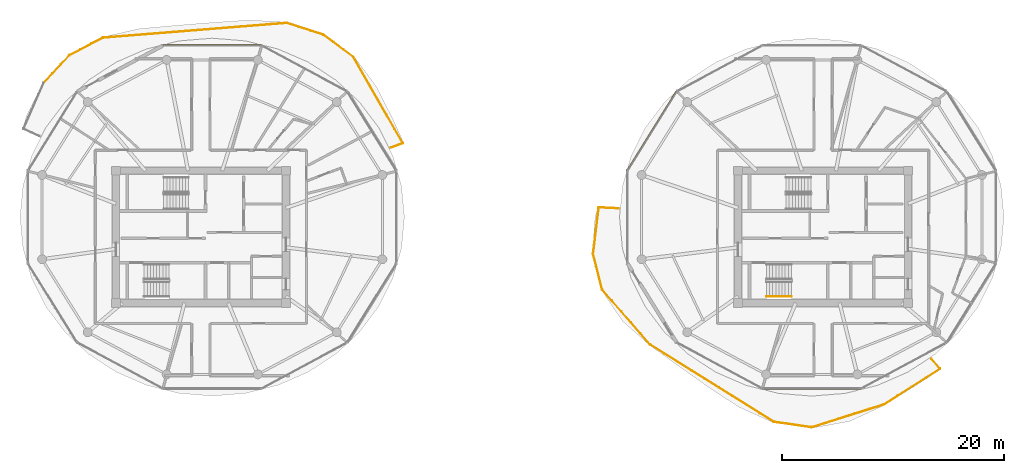
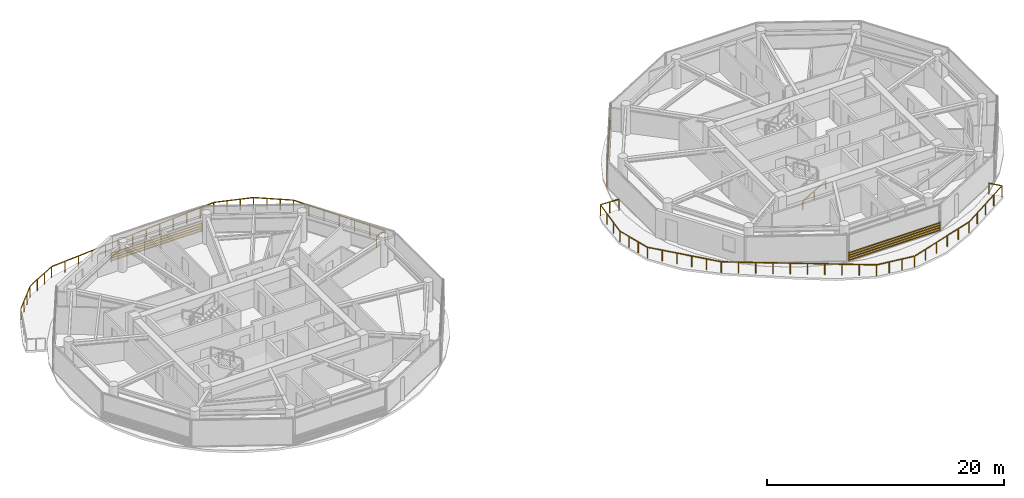
# One storey, part 20 of 21: 4 railings, 3 shading devices.
"""IFC4 building model written with IfcOpenShell, lengths in metres."""

import ifcopenshell
import ifcopenshell.guid

model = None  # the IFC model being written
_history = None  # IfcOwnerHistory: only IFC2X3 demands one
_inside = {}  # id of a spatial element -> (the spatial element, [elements in it])
_under = {}  # id of a project, library or spatial element -> (it, [spatial elements below it])
_declared = {}  # id of a project -> (the project, [libraries it declares])
_typed = {}  # id of a type object -> (the type object, [elements of that type])
_made_of = {}  # id of a material, layer set ... -> (it, [elements and type objects made of it])


def new_model(schema):
    """Start an empty IFC model of exactly this schema.

    Asked for "IFC4X3", IfcOpenShell would pick the latest addendum, in which some entities
    have other attributes; the version numbers below select the first issue.
    IFC2X3 requires an IfcOwnerHistory on every rooted entity: one is made here for all.
    """
    global model, _history
    if schema == "IFC4X3":
        model = ifcopenshell.file(schema_version=(4, 3, 0, 0))
    else:
        model = ifcopenshell.file(schema=schema)
    _inside.clear()
    _under.clear()
    _declared.clear()
    _typed.clear()
    _made_of.clear()
    _history = None
    if model.schema == "IFC2X3":
        org = make("IfcOrganization", Name="unknown")
        user = make(
            "IfcPersonAndOrganization",
            ThePerson=make("IfcPerson", FamilyName="unknown"),
            TheOrganization=org,
        )
        app = make(
            "IfcApplication",
            ApplicationDeveloper=org,
            Version="unknown",
            ApplicationFullName="unknown",
            ApplicationIdentifier="unknown",
        )
        _history = make(
            "IfcOwnerHistory",
            OwningUser=user,
            OwningApplication=app,
            ChangeAction="ADDED",
            CreationDate=0,
        )
    return model


def make(cls, **values):
    """One entity of the class cls with the attributes given. An attribute that is None is left unset."""
    return model.create_entity(
        cls, **{name: value for name, value in values.items() if value is not None}
    )


def rooted(cls, **values):
    """An entity with a GlobalId (a new one), such as an element, a storey or a relation."""
    return make(cls, GlobalId=ifcopenshell.guid.new(), OwnerHistory=_history, **values)


def si_unit(unit_type, name, prefix=None):
    """IfcSIUnit, for example si_unit("LENGTHUNIT", "METRE", prefix="MILLI")."""
    return make("IfcSIUnit", UnitType=unit_type, Prefix=prefix, Name=name)


def assignment(units):
    """IfcUnitAssignment: the units of a project."""
    return None if units is None else make("IfcUnitAssignment", Units=units)


def point(xyz):
    """IfcCartesianPoint."""
    return None if xyz is None else make("IfcCartesianPoint", Coordinates=xyz)


def direction(xyz):
    """IfcDirection."""
    return None if xyz is None else make("IfcDirection", DirectionRatios=xyz)


def frame(location, z_axis=None, x_axis=None):
    """IfcAxis2Placement3D, a coordinate frame: its origin and axes. An axis left out is left unset."""
    return make(
        "IfcAxis2Placement3D",
        Location=point(location),
        Axis=direction(z_axis),
        RefDirection=direction(x_axis),
    )


def frame_2d(location, x_axis=None):
    """IfcAxis2Placement2D, a coordinate frame in the plane: its origin and x axis."""
    return make(
        "IfcAxis2Placement2D", Location=point(location), RefDirection=direction(x_axis)
    )


def origin():
    """The frame at (0, 0, 0) with its axes left unset."""
    return frame((0.0, 0.0, 0.0))


def origin_2d():
    """The frame at (0, 0) in the plane with its x axis left unset."""
    return frame_2d((0.0, 0.0))


def place(relative_to, where):
    """IfcLocalPlacement: puts the frame where relative to a parent placement (None: the world)."""
    return make(
        "IfcLocalPlacement", PlacementRelTo=relative_to, RelativePlacement=where
    )


def context(
    kind, dimensions, precision=None, world=None, true_north=None, identifier=None
):
    """IfcGeometricRepresentationContext, for example the 3D "Model" context."""
    return make(
        "IfcGeometricRepresentationContext",
        ContextIdentifier=identifier,
        ContextType=kind,
        CoordinateSpaceDimension=dimensions,
        Precision=precision,
        WorldCoordinateSystem=world,
        TrueNorth=true_north,
    )


def subcontext(parent, identifier, kind, view, scale=None):
    """IfcGeometricRepresentationSubContext, for example "Body" below "Model"."""
    return make(
        "IfcGeometricRepresentationSubContext",
        ContextIdentifier=identifier,
        ContextType=kind,
        ParentContext=parent,
        TargetScale=scale,
        TargetView=view,
    )


def project(units=None, contexts=None):
    """IfcProject with its units and contexts."""
    return rooted(
        "IfcProject",
        Name="project",
        RepresentationContexts=contexts,
        UnitsInContext=assignment(units),
    )


def spatial(cls, under=None, at=None, **own):
    """A site, building, storey or space (cls), placed at a placement, below another one or the project."""
    s = rooted(cls, ObjectPlacement=at, **own)
    if under is not None:
        _under.setdefault(under.id(), (under, []))[1].append(s)
    return s


def profile(cls, at=None, kind="AREA", **sizes):
    """A parametric profile (cls). Its sizes go by their IFC names, for example OverallWidth=200.0."""
    return make(cls, ProfileType=kind, Position=at, **sizes)


def rectangle(**sizes):
    """IfcRectangleProfileDef."""
    return profile("IfcRectangleProfileDef", **sizes)


def extrude(swept, where, along, depth):
    """IfcExtrudedAreaSolid: the profile swept, set in the frame where, extruded along a direction by depth."""
    return make(
        "IfcExtrudedAreaSolid",
        SweptArea=swept,
        Position=where,
        ExtrudedDirection=direction(along),
        Depth=depth,
    )


def shape(context_of_items, identifier, shape_type, items):
    """IfcShapeRepresentation: the items that make up one representation, for example the "Body"."""
    return make(
        "IfcShapeRepresentation",
        ContextOfItems=context_of_items,
        RepresentationIdentifier=identifier,
        RepresentationType=shape_type,
        Items=items,
    )


def source(mapping_origin, context_of_items, identifier, shape_type, items):
    """IfcRepresentationMap: a shape defined once, which mapped items show again and again."""
    return make(
        "IfcRepresentationMap",
        MappingOrigin=mapping_origin,
        MappedRepresentation=shape(context_of_items, identifier, shape_type, items),
    )


def transform(
    local_origin,
    x_axis=None,
    y_axis=None,
    z_axis=None,
    scale=None,
    scale2=None,
    scale3=None,
    uniform=True,
):
    """IfcCartesianTransformationOperator3D, or its non-uniform kind. x_axis, y_axis, z_axis: its Axis1, 2, 3."""
    if uniform:
        return make(
            "IfcCartesianTransformationOperator3D",
            Axis1=direction(x_axis),
            Axis2=direction(y_axis),
            LocalOrigin=point(local_origin),
            Scale=scale,
            Axis3=direction(z_axis),
        )
    return make(
        "IfcCartesianTransformationOperator3DnonUniform",
        Axis1=direction(x_axis),
        Axis2=direction(y_axis),
        LocalOrigin=point(local_origin),
        Scale=scale,
        Axis3=direction(z_axis),
        Scale2=scale2,
        Scale3=scale3,
    )


def mapped(mapping_source, mapping_target):
    """IfcMappedItem: shows the shape of a source again, moved by a transform."""
    return make(
        "IfcMappedItem", MappingSource=mapping_source, MappingTarget=mapping_target
    )


def material(Name=None, Category=None):
    """IfcMaterial."""
    return make("IfcMaterial", Name=Name, Category=Category)


def made_of(thing, what):
    """Note that an element or type object is made of a material, layer set ...; save() writes the relation."""
    if what is not None:
        _made_of.setdefault(what.id(), (what, []))[1].append(thing)
    return thing


def type_object(cls, material=None, **own):
    """A type object (cls), such as IfcWallType, which elements share."""
    return made_of(rooted(cls, **own), material)


def type_shapes(of_type, sources):
    """Give a type object the sources (RepresentationMaps) that its elements show as mapped items."""
    of_type.RepresentationMaps = sources


def element(
    cls,
    number,
    at=None,
    inside=None,
    cuts=None,
    type_object=None,
    material=None,
    context=None,
    identifier="Body",
    shape_type=None,
    held_by="IfcProductDefinitionShape",
    body=None,
    shapes=None,
    **own,
):
    """One element of the class cls, such as IfcWall. Its Tag is "e" and its number.

    at: its placement. inside: the storey or other place that contains it. cuts: it is an
    opening in that element (IfcRelVoidsElement). A single representation is given by context,
    identifier, shape_type and body (its items); several are given by shapes. held_by: the class
    of the entity that holds the representations. save() writes the other relations.
    """
    e = rooted(cls, Tag="e%d" % number, ObjectPlacement=at, **own)
    if body is not None:
        shapes = [shape(context, identifier, shape_type, body)]
    if shapes is not None:
        e.Representation = make(held_by, Representations=shapes)
    if inside is not None:
        _inside.setdefault(inside.id(), (inside, []))[1].append(e)
    if cuts is not None:
        rooted(
            "IfcRelVoidsElement", RelatingBuildingElement=cuts, RelatedOpeningElement=e
        )
    if type_object is not None:
        _typed.setdefault(type_object.id(), (type_object, []))[1].append(e)
    return made_of(e, material)


def aggregate(whole, parts):
    """IfcRelAggregates: a whole, such as a stair, and the parts it consists of."""
    return rooted("IfcRelAggregates", RelatingObject=whole, RelatedObjects=parts)


def save(model, path):
    """Write the relations noted so far, then the file.

    IfcRelAggregates (storeys below a building ...), IfcRelContainedInSpatialStructure (elements
    in a storey), IfcRelDefinesByType, IfcRelAssociatesMaterial and IfcRelDeclares: one each for
    every whole, place, type object, material and project.
    """
    for whole, parts in _under.values():
        aggregate(whole, parts)
    for where, things in _inside.values():
        rooted(
            "IfcRelContainedInSpatialStructure",
            RelatedElements=things,
            RelatingStructure=where,
        )
    for kind, things in _typed.values():
        rooted("IfcRelDefinesByType", RelatedObjects=things, RelatingType=kind)
    for what, things in _made_of.values():
        rooted("IfcRelAssociatesMaterial", RelatedObjects=things, RelatingMaterial=what)
    for by, libraries in _declared.values():
        rooted("IfcRelDeclares", RelatingContext=by, RelatedDefinitions=libraries)
    model.write(path)


model = new_model("IFC4")

# Units and contexts
model_context = context("Model", 3, precision=1e-05, world=origin(), true_north=direction((0.0, 1.0)))
body_context = subcontext(model_context, "Body", "Model", "MODEL_VIEW")
ifc_project = project(units=[si_unit("LENGTHUNIT", "METRE"), si_unit("AREAUNIT", "SQUARE_METRE"), si_unit("VOLUMEUNIT", "CUBIC_METRE"), si_unit("PLANEANGLEUNIT", "RADIAN"), si_unit("MASSUNIT", "GRAM", prefix="KILO")], contexts=[model_context])

# Site, building, storey
site_placement = place(None, origin())
site = spatial("IfcSite", under=ifc_project, at=site_placement, CompositionType="ELEMENT")
building_placement = place(site_placement, origin())
building = spatial("IfcBuilding", under=site, at=building_placement, Name="Norrkilde Senior Care Towers", CompositionType="ELEMENT")
storey_placement = place(building_placement, frame((0.0, 0.0, 149.550048828125)))
storey = spatial("IfcBuildingStorey", under=building, at=storey_placement, Name="L46", CompositionType="ELEMENT", Elevation=149.550048828125)

# Railings
ifc_material_1 = material(Name="Anodised Aluminium", Category="aluminium")
railing_type_1 = type_object("IfcRailingType", Name="Balcony Swirl Ribbon Guardrail 1150", PredefinedType="GUARDRAIL", material=ifc_material_1)
railing_1_placement = place(storey_placement, frame((33.467041015625, -15.093505859375, 0.0)))
element("IfcRailing", 1, at=railing_1_placement, inside=storey, type_object=railing_type_1, Name="L46 Perimeter Safety Guard 01", PredefinedType="GUARDRAIL", context=body_context, shape_type="SweptSolid", body=[
    extrude(rectangle(XDim=0.048095703125, YDim=0.048095703125, at=origin_2d()), frame((0.0, 0.0, 1.1259765625), z_axis=(-0.953778656086, -0.300510025116, 0.0), x_axis=(0.300510025116, -0.953778656086, 0.0)), (0.0, 0.0, 1.0), 6.76708984375),
    extrude(rectangle(XDim=0.048095703125, YDim=0.048095703125, at=origin_2d()), frame((-6.533935546875, -2.0400390625, 1.1259765625), z_axis=(-0.989870069277, 0.141976216143, 0.0), x_axis=(-0.141976216143, -0.989870069277, 0.0)), (0.0, 0.0, 1.0), 3.36767578125),
    extrude(rectangle(XDim=0.048095703125, YDim=0.048095703125, at=origin_2d()), frame((-9.942626953125, -1.534423828125, 1.1259765625), z_axis=(-0.848074707503, 0.529876674796, 0.0), x_axis=(-0.529876674796, -0.848074707503, 0.0)), (0.0, 0.0, 1.0), 13.021484375),
    extrude(rectangle(XDim=0.048095703125, YDim=0.048095703125, at=origin_2d()), frame((-21.04736328125, 5.417724609375, 1.1259765625), z_axis=(-0.65714114238, 0.753767549707, 0.0), x_axis=(-0.753767549707, -0.65714114238, 0.0)), (0.0, 0.0, 1.0), 6.502685546875),
    extrude(rectangle(XDim=0.048095703125, YDim=0.048095703125, at=origin_2d()), frame((-25.357421875, 10.3896484375, 1.1259765625), z_axis=(-0.247173053783, 0.968971352251, 0.0), x_axis=(-0.968971352251, -0.247173053783, 0.0)), (0.0, 0.0, 1.0), 3.236083984375),
    extrude(rectangle(XDim=0.048095703125, YDim=0.048095703125, at=origin_2d()), frame((-26.16259765625, 13.60546875, 1.1259765625), z_axis=(0.121156173495, 0.99263345784, 0.0), x_axis=(-0.99263345784, 0.121156173495, 0.0)), (0.0, 0.0, 1.0), 4.125732421875),
    extrude(rectangle(XDim=0.048095703125, YDim=0.048095703125, at=origin_2d()), frame((-25.616943359375, 17.739501953125, 1.1259765625), z_axis=(0.998767504981, -0.049633365739, 0.0), x_axis=(0.049633365739, 0.998767504981, 0.0)), (0.0, 0.0, 1.0), 1.719970703125),
    extrude(rectangle(XDim=0.0419921875, YDim=0.0419921875, at=origin_2d()), origin(), (0.0, 0.0, 1.0), 1.099853515625),
    extrude(rectangle(XDim=0.0419921875, YDim=0.0419921875, at=origin_2d()), frame((-1.298583984375, -0.4091796875, 0.0)), (0.0, 0.0, 1.0), 1.099853515625),
    extrude(rectangle(XDim=0.0419921875, YDim=0.0419921875, at=origin_2d()), frame((-2.597412109375, -0.818359375, 0.0)), (0.0, 0.0, 1.0), 1.099853515625),
    extrude(rectangle(XDim=0.0419921875, YDim=0.0419921875, at=origin_2d()), frame((-3.89599609375, -1.2275390625, 0.0)), (0.0, 0.0, 1.0), 1.099853515625),
    extrude(rectangle(XDim=0.0419921875, YDim=0.0419921875, at=origin_2d()), frame((-5.19482421875, -1.63671875, 0.0)), (0.0, 0.0, 1.0), 1.099853515625),
    extrude(rectangle(XDim=0.0419921875, YDim=0.0419921875, at=origin_2d()), frame((-6.493408203125, -2.0458984375, 0.0)), (0.0, 0.0, 1.0), 1.099853515625),
    extrude(rectangle(XDim=0.0419921875, YDim=0.0419921875, at=origin_2d()), frame((-7.631591796875, -1.882568359375, 0.0)), (0.0, 0.0, 1.0), 1.099853515625),
    extrude(rectangle(XDim=0.0419921875, YDim=0.0419921875, at=origin_2d()), frame((-8.769775390625, -1.719482421875, 0.0)), (0.0, 0.0, 1.0), 1.099853515625),
    extrude(rectangle(XDim=0.0419921875, YDim=0.0419921875, at=origin_2d()), frame((-9.907958984375, -1.55615234375, 0.0)), (0.0, 0.0, 1.0), 1.099853515625),
    extrude(rectangle(XDim=0.0419921875, YDim=0.0419921875, at=origin_2d()), frame((-11.142578125, -0.78466796875, 0.0)), (0.0, 0.0, 1.0), 1.099853515625),
    extrude(rectangle(XDim=0.0419921875, YDim=0.0419921875, at=origin_2d()), frame((-12.37744140625, -0.01318359375, 0.0)), (0.0, 0.0, 1.0), 1.099853515625),
    extrude(rectangle(XDim=0.0419921875, YDim=0.0419921875, at=origin_2d()), frame((-13.612060546875, 0.75830078125, 0.0)), (0.0, 0.0, 1.0), 1.099853515625),
    extrude(rectangle(XDim=0.0419921875, YDim=0.0419921875, at=origin_2d()), frame((-14.846923828125, 1.52978515625, 0.0)), (0.0, 0.0, 1.0), 1.099853515625),
    extrude(rectangle(XDim=0.0419921875, YDim=0.0419921875, at=origin_2d()), frame((-16.08154296875, 2.301025390625, 0.0)), (0.0, 0.0, 1.0), 1.099853515625),
    extrude(rectangle(XDim=0.0419921875, YDim=0.0419921875, at=origin_2d()), frame((-17.31640625, 3.072509765625, 0.0)), (0.0, 0.0, 1.0), 1.099853515625),
    extrude(rectangle(XDim=0.0419921875, YDim=0.0419921875, at=origin_2d()), frame((-18.551025390625, 3.843994140625, 0.0)), (0.0, 0.0, 1.0), 1.099853515625),
    extrude(rectangle(XDim=0.0419921875, YDim=0.0419921875, at=origin_2d()), frame((-19.785888671875, 4.615478515625, 0.0)), (0.0, 0.0, 1.0), 1.099853515625),
    extrude(rectangle(XDim=0.0419921875, YDim=0.0419921875, at=origin_2d()), frame((-21.0205078125, 5.386962890625, 0.0)), (0.0, 0.0, 1.0), 1.099853515625),
    extrude(rectangle(XDim=0.0419921875, YDim=0.0419921875, at=origin_2d()), frame((-21.885986328125, 6.379638671875, 0.0)), (0.0, 0.0, 1.0), 1.099853515625),
    extrude(rectangle(XDim=0.0419921875, YDim=0.0419921875, at=origin_2d()), frame((-22.751220703125, 7.372314453125, 0.0)), (0.0, 0.0, 1.0), 1.099853515625),
    extrude(rectangle(XDim=0.0419921875, YDim=0.0419921875, at=origin_2d()), frame((-23.61669921875, 8.36474609375, 0.0)), (0.0, 0.0, 1.0), 1.099853515625),
    extrude(rectangle(XDim=0.0419921875, YDim=0.0419921875, at=origin_2d()), frame((-24.48193359375, 9.357421875, 0.0)), (0.0, 0.0, 1.0), 1.099853515625),
    extrude(rectangle(XDim=0.0419921875, YDim=0.0419921875, at=origin_2d()), frame((-25.347412109375, 10.35009765625, 0.0)), (0.0, 0.0, 1.0), 1.099853515625),
    extrude(rectangle(XDim=0.0419921875, YDim=0.0419921875, at=origin_2d()), frame((-25.620849609375, 11.421630859375, 0.0)), (0.0, 0.0, 1.0), 1.099853515625),
    extrude(rectangle(XDim=0.0419921875, YDim=0.0419921875, at=origin_2d()), frame((-25.89404296875, 12.493408203125, 0.0)), (0.0, 0.0, 1.0), 1.099853515625),
    extrude(rectangle(XDim=0.0419921875, YDim=0.0419921875, at=origin_2d()), frame((-26.16748046875, 13.56494140625, 0.0)), (0.0, 0.0, 1.0), 1.099853515625),
    extrude(rectangle(XDim=0.0419921875, YDim=0.0419921875, at=origin_2d()), frame((-25.99755859375, 14.95703125, 0.0)), (0.0, 0.0, 1.0), 1.099853515625),
    extrude(rectangle(XDim=0.0419921875, YDim=0.0419921875, at=origin_2d()), frame((-25.82763671875, 16.349365234375, 0.0)), (0.0, 0.0, 1.0), 1.099853515625),
    extrude(rectangle(XDim=0.0419921875, YDim=0.0419921875, at=origin_2d()), frame((-25.65771484375, 17.741455078125, 0.0)), (0.0, 0.0, 1.0), 1.099853515625),
    extrude(rectangle(XDim=0.0419921875, YDim=0.0419921875, at=origin_2d()), frame((-24.7783203125, 17.69775390625, 0.0)), (0.0, 0.0, 1.0), 1.099853515625),
    extrude(rectangle(XDim=0.0419921875, YDim=0.0419921875, at=origin_2d()), frame((-23.89892578125, 17.654052734375, 0.0)), (0.0, 0.0, 1.0), 1.099853515625),
])
railing_2_placement = place(storey_placement, frame((37.76611328125, -10.9873046875, 0.0)))
element("IfcRailing", 2, at=railing_2_placement, inside=storey, type_object=railing_type_1, Name="L46 Perimeter Safety Guard 02", PredefinedType="GUARDRAIL", context=body_context, shape_type="SweptSolid", body=[
    extrude(rectangle(XDim=0.048095703125, YDim=0.048095703125, at=origin_2d()), frame((0.0, 0.0, 1.1259765625), z_axis=(0.649262379928, -0.760564502202, 0.0), x_axis=(0.760564502202, 0.649262379928, 0.0)), (0.0, 0.0, 1.0), 1.13037109375),
    extrude(rectangle(XDim=0.048095703125, YDim=0.048095703125, at=origin_2d()), frame((0.72607421875, -0.912841796875, 1.1259765625), z_axis=(-0.843993358246, -0.536353625174, 0.0), x_axis=(0.536353625174, -0.843993358246, 0.0)), (0.0, 0.0, 1.0), 5.953857421875),
    extrude(rectangle(XDim=0.0419921875, YDim=0.0419921875, at=origin_2d()), origin(), (0.0, 0.0, 1.0), 1.099853515625),
    extrude(rectangle(XDim=0.0419921875, YDim=0.0419921875, at=origin_2d()), frame((0.760498046875, -0.890869140625, 0.0)), (0.0, 0.0, 1.0), 1.099853515625),
    extrude(rectangle(XDim=0.0419921875, YDim=0.0419921875, at=origin_2d()), frame((-0.50439453125, -1.69482421875, 0.0)), (0.0, 0.0, 1.0), 1.099853515625),
    extrude(rectangle(XDim=0.0419921875, YDim=0.0419921875, at=origin_2d()), frame((-1.769287109375, -2.49853515625, 0.0)), (0.0, 0.0, 1.0), 1.099853515625),
    extrude(rectangle(XDim=0.0419921875, YDim=0.0419921875, at=origin_2d()), frame((-3.0341796875, -3.30224609375, 0.0)), (0.0, 0.0, 1.0), 1.099853515625),
    extrude(rectangle(XDim=0.0419921875, YDim=0.0419921875, at=origin_2d()), frame((-4.299072265625, -4.106201171875, 0.0)), (0.0, 0.0, 1.0), 1.099853515625),
])
railing_3_placement = place(storey_placement, frame((-42.13916015625, 13.861572265625, 0.0)))
element("IfcRailing", 3, at=railing_3_placement, inside=storey, type_object=railing_type_1, Name="L46 Perimeter Safety Guard 03", PredefinedType="GUARDRAIL", context=body_context, shape_type="SweptSolid", body=[
    extrude(rectangle(XDim=0.048095703125, YDim=0.048095703125, at=origin_2d()), frame((0.0, 0.0, 1.1259765625), z_axis=(0.683421830324, 0.730023699503, 0.0), x_axis=(-0.730023699503, 0.683421830324, 0.0)), (0.0, 0.0, 1.0), 3.338134765625),
    extrude(rectangle(XDim=0.048095703125, YDim=0.048095703125, at=origin_2d()), frame((2.345458984375, 2.48583984375, 1.1259765625), z_axis=(0.884609985252, 0.46633161376, 0.0), x_axis=(-0.46633161376, 0.884609985252, 0.0)), (0.0, 0.0, 1.0), 3.322265625),
    extrude(rectangle(XDim=0.048095703125, YDim=0.048095703125, at=origin_2d()), frame((5.361328125, 4.057373046875, 1.1259765625), z_axis=(0.996780809376, 0.080174921638, 0.0), x_axis=(-0.080174921638, 0.996780809376, 0.0)), (0.0, 0.0, 1.0), 16.538330078125),
    extrude(rectangle(XDim=0.048095703125, YDim=0.048095703125, at=origin_2d()), frame((21.926025390625, 5.374267578125, 1.1259765625), z_axis=(0.951751596141, -0.306869515012, 0.0), x_axis=(0.306869515012, 0.951751596141, 0.0)), (0.0, 0.0, 1.0), 3.343994140625),
    extrude(rectangle(XDim=0.048095703125, YDim=0.048095703125, at=origin_2d()), frame((25.180419921875, 4.31103515625, 1.1259765625), z_axis=(0.802335487722, -0.5968733242, 0.0), x_axis=(0.5968733242, 0.802335487722, 0.0)), (0.0, 0.0, 1.0), 3.3212890625),
    extrude(rectangle(XDim=0.048095703125, YDim=0.048095703125, at=origin_2d()), frame((27.8984375, 2.268798828125, 1.1259765625), z_axis=(0.497892692787, -0.867238644474, 0.0), x_axis=(0.867238644474, 0.497892692787, 0.0)), (0.0, 0.0, 1.0), 8.833251953125),
    extrude(rectangle(XDim=0.048095703125, YDim=0.048095703125, at=origin_2d()), frame((32.27880859375, -5.44189453125, 1.1259765625), z_axis=(-0.933785381886, -0.357833565468, 0.0), x_axis=(0.357833565468, -0.933785381886, 0.0)), (0.0, 0.0, 1.0), 1.101806640625),
    extrude(rectangle(XDim=0.0419921875, YDim=0.0419921875, at=origin_2d()), origin(), (0.0, 0.0, 1.0), 1.099853515625),
    extrude(rectangle(XDim=0.0419921875, YDim=0.0419921875, at=origin_2d()), frame((0.769775390625, 0.822265625, 0.0)), (0.0, 0.0, 1.0), 1.099853515625),
    extrude(rectangle(XDim=0.0419921875, YDim=0.0419921875, at=origin_2d()), frame((1.53955078125, 1.64453125, 0.0)), (0.0, 0.0, 1.0), 1.099853515625),
    extrude(rectangle(XDim=0.0419921875, YDim=0.0419921875, at=origin_2d()), frame((2.309326171875, 2.466796875, 0.0)), (0.0, 0.0, 1.0), 1.099853515625),
    extrude(rectangle(XDim=0.0419921875, YDim=0.0419921875, at=origin_2d()), frame((3.31298828125, 2.995849609375, 0.0)), (0.0, 0.0, 1.0), 1.099853515625),
    extrude(rectangle(XDim=0.0419921875, YDim=0.0419921875, at=origin_2d()), frame((4.31689453125, 3.525146484375, 0.0)), (0.0, 0.0, 1.0), 1.099853515625),
    extrude(rectangle(XDim=0.0419921875, YDim=0.0419921875, at=origin_2d()), frame((5.320556640625, 4.05419921875, 0.0)), (0.0, 0.0, 1.0), 1.099853515625),
    extrude(rectangle(XDim=0.0419921875, YDim=0.0419921875, at=origin_2d()), frame((6.701171875, 4.165283203125, 0.0)), (0.0, 0.0, 1.0), 1.099853515625),
    extrude(rectangle(XDim=0.0419921875, YDim=0.0419921875, at=origin_2d()), frame((8.08154296875, 4.2763671875, 0.0)), (0.0, 0.0, 1.0), 1.099853515625),
    extrude(rectangle(XDim=0.0419921875, YDim=0.0419921875, at=origin_2d()), frame((9.462158203125, 4.38720703125, 0.0)), (0.0, 0.0, 1.0), 1.099853515625),
    extrude(rectangle(XDim=0.0419921875, YDim=0.0419921875, at=origin_2d()), frame((10.8427734375, 4.498291015625, 0.0)), (0.0, 0.0, 1.0), 1.099853515625),
    extrude(rectangle(XDim=0.0419921875, YDim=0.0419921875, at=origin_2d()), frame((12.223388671875, 4.609375, 0.0)), (0.0, 0.0, 1.0), 1.099853515625),
    extrude(rectangle(XDim=0.0419921875, YDim=0.0419921875, at=origin_2d()), frame((13.60400390625, 4.720458984375, 0.0)), (0.0, 0.0, 1.0), 1.099853515625),
    extrude(rectangle(XDim=0.0419921875, YDim=0.0419921875, at=origin_2d()), frame((14.984375, 4.83154296875, 0.0)), (0.0, 0.0, 1.0), 1.099853515625),
    extrude(rectangle(XDim=0.0419921875, YDim=0.0419921875, at=origin_2d()), frame((16.364990234375, 4.942626953125, 0.0)), (0.0, 0.0, 1.0), 1.099853515625),
    extrude(rectangle(XDim=0.0419921875, YDim=0.0419921875, at=origin_2d()), frame((17.74560546875, 5.0537109375, 0.0)), (0.0, 0.0, 1.0), 1.099853515625),
    extrude(rectangle(XDim=0.0419921875, YDim=0.0419921875, at=origin_2d()), frame((19.1259765625, 5.16455078125, 0.0)), (0.0, 0.0, 1.0), 1.099853515625),
    extrude(rectangle(XDim=0.0419921875, YDim=0.0419921875, at=origin_2d()), frame((20.506591796875, 5.275634765625, 0.0)), (0.0, 0.0, 1.0), 1.099853515625),
    extrude(rectangle(XDim=0.0419921875, YDim=0.0419921875, at=origin_2d()), frame((21.88720703125, 5.38671875, 0.0)), (0.0, 0.0, 1.0), 1.099853515625),
    extrude(rectangle(XDim=0.0419921875, YDim=0.0419921875, at=origin_2d()), frame((22.97412109375, 5.036376953125, 0.0)), (0.0, 0.0, 1.0), 1.099853515625),
    extrude(rectangle(XDim=0.0419921875, YDim=0.0419921875, at=origin_2d()), frame((24.060791015625, 4.685791015625, 0.0)), (0.0, 0.0, 1.0), 1.099853515625),
    extrude(rectangle(XDim=0.0419921875, YDim=0.0419921875, at=origin_2d()), frame((25.147705078125, 4.33544921875, 0.0)), (0.0, 0.0, 1.0), 1.099853515625),
    extrude(rectangle(XDim=0.0419921875, YDim=0.0419921875, at=origin_2d()), frame((26.057861328125, 3.658447265625, 0.0)), (0.0, 0.0, 1.0), 1.099853515625),
    extrude(rectangle(XDim=0.0419921875, YDim=0.0419921875, at=origin_2d()), frame((26.968017578125, 2.981201171875, 0.0)), (0.0, 0.0, 1.0), 1.099853515625),
    extrude(rectangle(XDim=0.0419921875, YDim=0.0419921875, at=origin_2d()), frame((27.878173828125, 2.30419921875, 0.0)), (0.0, 0.0, 1.0), 1.099853515625),
    extrude(rectangle(XDim=0.0419921875, YDim=0.0419921875, at=origin_2d()), frame((28.617919921875, 1.015625, 0.0)), (0.0, 0.0, 1.0), 1.099853515625),
    extrude(rectangle(XDim=0.0419921875, YDim=0.0419921875, at=origin_2d()), frame((29.357666015625, -0.27294921875, 0.0)), (0.0, 0.0, 1.0), 1.099853515625),
    extrude(rectangle(XDim=0.0419921875, YDim=0.0419921875, at=origin_2d()), frame((30.09765625, -1.5615234375, 0.0)), (0.0, 0.0, 1.0), 1.099853515625),
    extrude(rectangle(XDim=0.0419921875, YDim=0.0419921875, at=origin_2d()), frame((30.83740234375, -2.85009765625, 0.0)), (0.0, 0.0, 1.0), 1.099853515625),
    extrude(rectangle(XDim=0.0419921875, YDim=0.0419921875, at=origin_2d()), frame((31.5771484375, -4.138671875, 0.0)), (0.0, 0.0, 1.0), 1.099853515625),
    extrude(rectangle(XDim=0.0419921875, YDim=0.0419921875, at=origin_2d()), frame((32.31689453125, -5.42724609375, 0.0)), (0.0, 0.0, 1.0), 1.099853515625),
    extrude(rectangle(XDim=0.0419921875, YDim=0.0419921875, at=origin_2d()), frame((31.249755859375, -5.836181640625, 0.0)), (0.0, 0.0, 1.0), 1.099853515625),
])
ifc_material_2 = material(Name="Nordic Ash Timber", Category="wood")
railing_type_2 = type_object("IfcRailingType", Name="Wall and Stair Handrail 900", PredefinedType="HANDRAIL", material=ifc_material_2)
railing_4_placement = place(storey_placement, frame((22.89990234375, -5.35009765625, 0.16943359375)))
element("IfcRailing", 4, at=railing_4_placement, inside=storey, type_object=railing_type_2, Name="L46 ST-E2 stair handrail 1", PredefinedType="HANDRAIL", context=body_context, shape_type="SweptSolid", body=[
    extrude(rectangle(XDim=0.048095703125, YDim=0.048095703125, at=origin_2d()), frame((0.0, 0.0, 0.8759765625), z_axis=(0.855553338991, 0.0, 0.51771467445), x_axis=(0.0, 1.0, 0.0)), (0.0, 0.0, 1.0), 2.6181640625),
    extrude(rectangle(XDim=0.0419921875, YDim=0.0419921875, at=origin_2d()), origin(), (0.0, 0.0, 1.0), 0.849853515625),
    extrude(rectangle(XDim=0.0419921875, YDim=0.0419921875, at=origin_2d()), frame((1.1201171875, 0.0, 0.677734375)), (0.0, 0.0, 1.0), 0.849853515625),
    extrude(rectangle(XDim=0.0419921875, YDim=0.0419921875, at=origin_2d()), frame((2.239990234375, 0.0, 1.35546875)), (0.0, 0.0, 1.0), 0.849853515625),
])

# Shading devices
ifc_material_3 = material(Name="Architectural Terracotta", Category="masonry")
shading_device_type = type_object("IfcShadingDeviceType", Name="Horizontal Terracotta Baguette Rack", PredefinedType="USERDEFINED", material=ifc_material_3)
shared_shape_1 = source(origin(), body_context, "Body", "SweptSolid", [
    extrude(rectangle(XDim=0.070068359375, YDim=0.110107421875, at=origin_2d()), frame((0.0, 0.090087890625, 0.125), z_axis=(1.0, 0.0, 0.0), x_axis=(0.0, 1.0, 0.0)), (0.0, 0.0, 1.0), 8.89306640625),
    extrude(rectangle(XDim=0.070068359375, YDim=0.110107421875, at=origin_2d()), frame((0.0, 0.090087890625, 0.375), z_axis=(1.0, 0.0, 0.0), x_axis=(0.0, 1.0, 0.0)), (0.0, 0.0, 1.0), 8.89306640625),
    extrude(rectangle(XDim=0.070068359375, YDim=0.110107421875, at=origin_2d()), frame((0.0, 0.090087890625, 0.625), z_axis=(1.0, 0.0, 0.0), x_axis=(0.0, 1.0, 0.0)), (0.0, 0.0, 1.0), 8.89306640625),
    extrude(rectangle(XDim=0.070068359375, YDim=0.110107421875, at=origin_2d()), frame((0.0, 0.090087890625, 0.875), z_axis=(1.0, 0.0, 0.0), x_axis=(0.0, 1.0, 0.0)), (0.0, 0.0, 1.0), 8.89306640625),
    extrude(rectangle(XDim=0.050048828125, YDim=0.1552734375, at=origin_2d()), frame((0.02490234375, 0.047607421875, 0.0)), (0.0, 0.0, 1.0), 1.0),
    extrude(rectangle(XDim=0.050048828125, YDim=0.1552734375, at=origin_2d()), frame((8.8681640625, 0.047607421875, 0.0)), (0.0, 0.0, 1.0), 1.0),
])
for number, where, z_axis, x_axis, name in (
    (5, (-31.421630859375, 17.2109375, 0.079833984375), (0.0, 0.0, 1.0), (1.0, 0.0, 0.0), "L46 Drum W Terracotta Baguette Screen 02"),
    (6, (31.421630859375, -13.66015625, 0.079833984375), (0.0, 0.0, 1.0), (-1.0, 0.0, 0.0), "L46 Drum E Terracotta Baguette Screen 08"),
):
    element("IfcShadingDevice", number, at=place(storey_placement, frame(where, z_axis=z_axis, x_axis=x_axis)), inside=storey, type_object=shading_device_type, Name=name, ObjectType="BAGUETTE", PredefinedType="USERDEFINED", context=body_context, shape_type="MappedRepresentation", body=[
        mapped(shared_shape_1, transform((0.0, 0.0, 0.0), x_axis=(1.0, 0.0, 0.0), y_axis=(0.0, 1.0, 0.0), z_axis=(0.0, 0.0, 1.0), scale=1.0)),
    ])
shared_shape_2 = source(origin(), body_context, "Body", "SweptSolid", [
    extrude(rectangle(XDim=0.070068359375, YDim=0.110107421875, at=origin_2d()), frame((0.0, 0.090087890625, 0.125), z_axis=(1.0, 0.0, 0.0), x_axis=(0.0, 1.0, 0.0)), (0.0, 0.0, 1.0), 8.431396484375),
    extrude(rectangle(XDim=0.070068359375, YDim=0.110107421875, at=origin_2d()), frame((0.0, 0.090087890625, 0.375), z_axis=(1.0, 0.0, 0.0), x_axis=(0.0, 1.0, 0.0)), (0.0, 0.0, 1.0), 8.431396484375),
    extrude(rectangle(XDim=0.070068359375, YDim=0.110107421875, at=origin_2d()), frame((0.0, 0.090087890625, 0.625), z_axis=(1.0, 0.0, 0.0), x_axis=(0.0, 1.0, 0.0)), (0.0, 0.0, 1.0), 8.431396484375),
    extrude(rectangle(XDim=0.070068359375, YDim=0.110107421875, at=origin_2d()), frame((0.0, 0.090087890625, 0.875), z_axis=(1.0, 0.0, 0.0), x_axis=(0.0, 1.0, 0.0)), (0.0, 0.0, 1.0), 8.431396484375),
    extrude(rectangle(XDim=0.050048828125, YDim=0.1552734375, at=origin_2d()), frame((0.02490234375, 0.047607421875, 0.0)), (0.0, 0.0, 1.0), 1.0),
    extrude(rectangle(XDim=0.050048828125, YDim=0.1552734375, at=origin_2d()), frame((8.40625, 0.047607421875, 0.0)), (0.0, 0.0, 1.0), 1.0),
])
type_shapes(shading_device_type, [shared_shape_1, shared_shape_2])
shading_device_placement = place(storey_placement, frame((10.38037109375, 5.911376953125, 0.079833984375), z_axis=(0.0, 0.0, 1.0), x_axis=(0.527378022296, 0.849630809324, 0.0)))
element("IfcShadingDevice", 7, at=shading_device_placement, inside=storey, type_object=shading_device_type, Name="L46 Drum E Terracotta Baguette Screen 04", ObjectType="BAGUETTE", PredefinedType="USERDEFINED", context=body_context, shape_type="MappedRepresentation", body=[
    mapped(shared_shape_2, transform((0.0, 0.0, 0.0), x_axis=(1.0, 0.0, 0.0), y_axis=(0.0, 1.0, 0.0), z_axis=(0.0, 0.0, 1.0), scale=1.0)),
])

save(model, "model.ifc")
